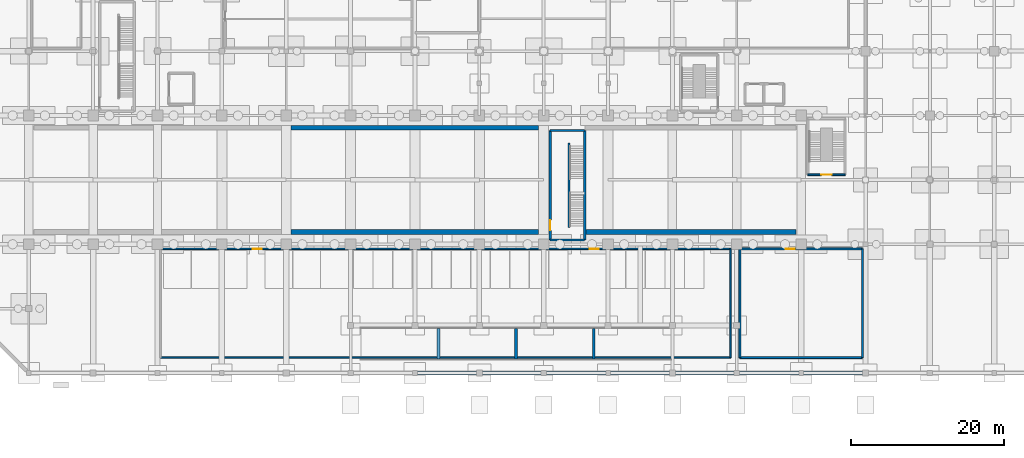
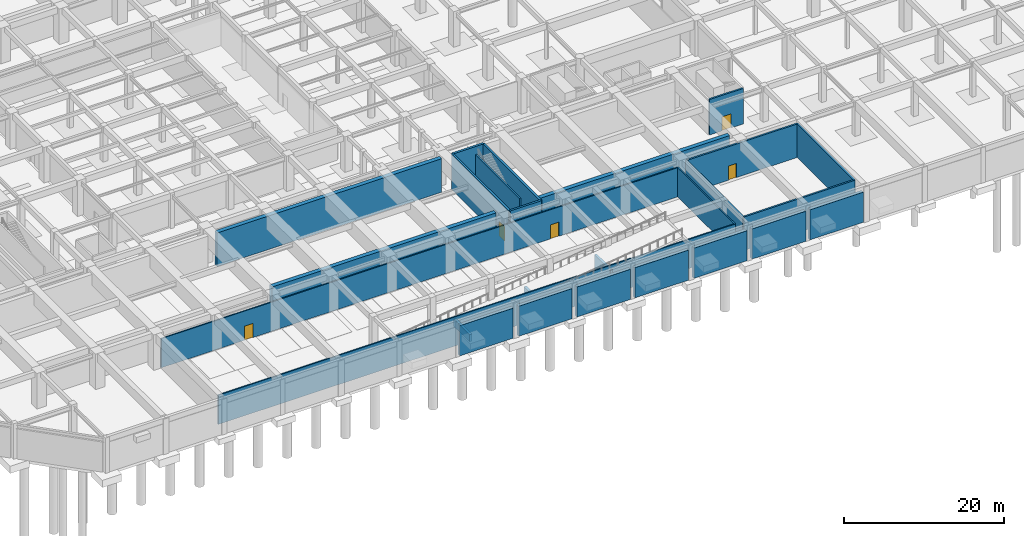
# One storey, part 19 of 26: 26 walls, 5 doors, 5 openings.
"""IFC4 building model written with IfcOpenShell, lengths in metres."""

from ifc_helpers import new_model, si_unit, direction, frame, frame_2d, origin, place, context, subcontext, project, spatial, rectangle, extrude, material, layer, layer_set, type_object, element, fill, save


model = new_model("IFC4")

# Units and contexts
model_context = context("Model", 3, precision=1e-05, world=origin(), true_north=direction((0.0, 1.0)))
body_context = subcontext(model_context, "Body", "Model", "MODEL_VIEW")
ifc_project = project(units=[si_unit("LENGTHUNIT", "METRE"), si_unit("AREAUNIT", "SQUARE_METRE"), si_unit("VOLUMEUNIT", "CUBIC_METRE"), si_unit("PLANEANGLEUNIT", "RADIAN"), si_unit("MASSUNIT", "GRAM", prefix="KILO")], contexts=[model_context])

# Site, building, storey
site_placement = place(None, origin())
site = spatial("IfcSite", under=ifc_project, at=site_placement, CompositionType="ELEMENT")
building_placement = place(site_placement, origin())
building = spatial("IfcBuilding", under=site, at=building_placement, Name="Xuanlan Plaza Opera House", CompositionType="ELEMENT")
storey_placement = place(building_placement, frame((0.0, 0.0, -5.39990234375)))
storey = spatial("IfcBuildingStorey", under=building, at=storey_placement, Name="B01", CompositionType="ELEMENT", Elevation=-5.39990234375)

# Walls
ifc_material_1 = material(Name="Concrete C50", Category="concrete")
ifc_layer_1 = layer(ifc_material_1, 0.47998046875)
ifc_layer_set_1 = layer_set([ifc_layer_1], Name="Concrete C50")
wall_type_1 = type_object("IfcWallType", Name="ENV-WL-EW-B01", PredefinedType="SHEAR", material=ifc_layer_set_1)
wall_1_placement = place(storey_placement, frame((67.5, 0.0, 0.0), z_axis=(0.0, 0.0, 1.0), x_axis=(1.0, 0.0, 0.0)))
element("IfcWall", 1, at=wall_1_placement, inside=storey, type_object=wall_type_1, Name="Exterior Wall B01-007", PredefinedType="SHEAR", context=body_context, shape_type="SweptSolid", body=[
    extrude(rectangle(XDim=7.699951171875, YDim=0.47998046875, at=frame_2d((3.85009765625, 0.0))), origin(), (0.0, 0.0, 1.0), 4.579833984375),
])
wall_2_placement = place(storey_placement, frame((76.0, 0.0, 0.0), z_axis=(0.0, 0.0, 1.0), x_axis=(1.0, 0.0, 0.0)))
element("IfcWall", 2, at=wall_2_placement, inside=storey, type_object=wall_type_1, Name="Exterior Wall B01-008", PredefinedType="SHEAR", context=body_context, shape_type="SweptSolid", body=[
    extrude(rectangle(XDim=7.64990234375, YDim=0.47998046875, at=frame_2d((3.824951171875, 0.0))), origin(), (0.0, 0.0, 1.0), 4.579833984375),
])
wall_3_placement = place(storey_placement, frame((84.35009765625, 0.0, 0.0), z_axis=(0.0, 0.0, 1.0), x_axis=(1.0, 0.0, 0.0)))
element("IfcWall", 3, at=wall_3_placement, inside=storey, type_object=wall_type_1, Name="Exterior Wall B01-009", PredefinedType="SHEAR", context=body_context, shape_type="SweptSolid", body=[
    extrude(rectangle(XDim=7.75, YDim=0.47998046875, at=frame_2d((3.875, 0.0))), origin(), (0.0, 0.0, 1.0), 4.579833984375),
])
wall_4_placement = place(storey_placement, frame((92.699951171875, 0.0, 0.0), z_axis=(0.0, 0.0, 1.0), x_axis=(1.0, 0.0, 0.0)))
element("IfcWall", 4, at=wall_4_placement, inside=storey, type_object=wall_type_1, Name="Exterior Wall B01-010", PredefinedType="SHEAR", context=body_context, shape_type="SweptSolid", body=[
    extrude(rectangle(XDim=7.699951171875, YDim=0.47998046875, at=frame_2d((3.85009765625, 0.0))), origin(), (0.0, 0.0, 1.0), 4.579833984375),
])
wall_5_placement = place(storey_placement, frame((101.199951171875, 0.0, 0.0), z_axis=(0.0, 0.0, 1.0), x_axis=(1.0, 0.0, 0.0)))
element("IfcWall", 5, at=wall_5_placement, inside=storey, type_object=wall_type_1, Name="Exterior Wall B01-011", PredefinedType="SHEAR", context=body_context, shape_type="SweptSolid", body=[
    extrude(rectangle(XDim=7.650146484375, YDim=0.47998046875, at=frame_2d((3.8251953125, 0.0))), origin(), (0.0, 0.0, 1.0), 4.579833984375),
])
wall_6_placement = place(storey_placement, frame((109.550048828125, 0.0, 0.0), z_axis=(0.0, 0.0, 1.0), x_axis=(1.0, 0.0, 0.0)))
element("IfcWall", 6, at=wall_6_placement, inside=storey, type_object=wall_type_1, Name="Exterior Wall B01-012", PredefinedType="SHEAR", context=body_context, shape_type="SweptSolid", body=[
    extrude(rectangle(XDim=7.75, YDim=0.47998046875, at=frame_2d((3.875, 0.0))), origin(), (0.0, 0.0, 1.0), 4.579833984375),
])
wall_7_placement = place(storey_placement, frame((117.89990234375, 0.0, 0.0), z_axis=(0.0, 0.0, 1.0), x_axis=(1.0, 0.0, 0.0)))
element("IfcWall", 7, at=wall_7_placement, inside=storey, type_object=wall_type_1, Name="Exterior Wall B01-013", PredefinedType="SHEAR", context=body_context, shape_type="SweptSolid", body=[
    extrude(rectangle(XDim=7.7001953125, YDim=0.47998046875, at=frame_2d((3.85009765625, 0.0))), origin(), (0.0, 0.0, 1.0), 4.579833984375),
])
ifc_material_2 = material(Name="Gypsum Board and Galvanised Steel Studs", Category="gypsum")
ifc_layer_2 = layer(ifc_material_2, 0.179931640625)
ifc_layer_set_2 = layer_set([ifc_layer_2], Name="Gypsum Board and Galvanised Steel Studs")
wall_type_2 = type_object("IfcWallType", Name="INT-WL-PW-02", PredefinedType="PARTITIONING", material=ifc_layer_set_2)
wall_8_placement = place(storey_placement, frame((34.0, 2.0, 0.0), z_axis=(0.0, 0.0, 1.0), x_axis=(1.0, 0.0, 0.0)))
element("IfcWall", 8, at=wall_8_placement, inside=storey, type_object=wall_type_2, Name="Basement Motor Vehicle Parking Deck Wall South", PredefinedType="PARTITIONING", context=body_context, shape_type="SweptSolid", body=[
    extrude(rectangle(XDim=74.39990234375, YDim=0.179931640625, at=frame_2d((37.199951171875, 0.0))), origin(), (0.0, 0.0, 1.0), 4.43994140625),
])

# Wall, openings, doors
wall_9_placement = place(storey_placement, frame((34.0, 16.199951171875, 0.0), z_axis=(0.0, 0.0, 1.0), x_axis=(1.0, 0.0, 0.0)))
wall_9 = element("IfcWall", 9, at=wall_9_placement, inside=storey, type_object=wall_type_2, Name="Basement Motor Vehicle Parking Deck Wall North", PredefinedType="PARTITIONING", context=body_context, shape_type="SweptSolid", body=[
    extrude(rectangle(XDim=74.39990234375, YDim=0.179931640625, at=frame_2d((37.199951171875, 0.0))), origin(), (0.0, 0.0, 1.0), 4.43994140625),
])
opening_1_placement = place(wall_9_placement, frame((12.0, 0.0, 0.0)))
opening_1 = element("IfcOpeningElement", 10, at=opening_1_placement, cuts=wall_9, Name="Opening FD-02", PredefinedType="OPENING", context=body_context, shape_type="SweptSolid", body=[
    extrude(rectangle(XDim=1.199951171875, YDim=2.14990234375, at=frame_2d((0.60009765625, 1.074951171875))), frame((0.0, 0.099853515625, 0.0), z_axis=(0.0, -1.0, 0.0), x_axis=(1.0, 0.0, 0.0)), (0.0, 0.0, 1.0), 0.199951171875),
])
opening_2_placement = place(wall_9_placement, frame((56.0, 0.0, 0.0)))
opening_2 = element("IfcOpeningElement", 11, at=opening_2_placement, cuts=wall_9, Name="Opening FD-02", PredefinedType="OPENING", context=body_context, shape_type="SweptSolid", body=[
    extrude(rectangle(XDim=1.199951171875, YDim=2.14990234375, at=frame_2d((0.60009765625, 1.074951171875))), frame((0.0, 0.099853515625, 0.0), z_axis=(0.0, -1.0, 0.0), x_axis=(1.0, 0.0, 0.0)), (0.0, 0.0, 1.0), 0.199951171875),
])
ifc_material_3 = material(Name="Galvanised Steel Q235B", Category="steel")
door_type_1 = type_object("IfcDoorType", Name="INT-DR-FD-02", OperationType="NOTDEFINED", PredefinedType="DOOR", material=ifc_material_3)
door_1_placement = place(opening_1_placement, origin())
door_1 = element("IfcDoor", 12, at=door_1_placement, inside=storey, type_object=door_type_1, Name="Basement Motor Vehicle Parking Deck Door 1", OperationType="SINGLE_SWING_RIGHT", OverallHeight=2.14990234375, OverallWidth=1.199951171875, PredefinedType="DOOR", context=body_context, shape_type="SweptSolid", body=[
    extrude(rectangle(XDim=1.199951171875, YDim=2.14990234375, at=frame_2d((0.60009765625, 1.074951171875))), frame((0.0, 0.02490234375, 0.0), z_axis=(0.0, -1.0, 0.0), x_axis=(1.0, 0.0, 0.0)), (0.0, 0.0, 1.0), 0.050048828125),
])
fill(opening_1, door_1)
door_2_placement = place(opening_2_placement, origin())
door_2 = element("IfcDoor", 13, at=door_2_placement, inside=storey, type_object=door_type_1, Name="Basement Motor Vehicle Parking Deck Door 2", OperationType="SINGLE_SWING_LEFT", OverallHeight=2.14990234375, OverallWidth=1.199951171875, PredefinedType="DOOR", context=body_context, shape_type="SweptSolid", body=[
    extrude(rectangle(XDim=1.199951171875, YDim=2.14990234375, at=frame_2d((0.60009765625, 1.074951171875))), frame((0.0, 0.02490234375, 0.0), z_axis=(0.0, -1.0, 0.0), x_axis=(1.0, 0.0, 0.0)), (0.0, 0.0, 1.0), 0.050048828125),
])
fill(opening_2, door_2)

# Walls
wall_10_placement = place(storey_placement, frame((108.39990234375, 2.0, 0.0), z_axis=(0.0, 0.0, 1.0), x_axis=(0.0, 1.0, 0.0)))
element("IfcWall", 14, at=wall_10_placement, inside=storey, type_object=wall_type_2, Name="Basement Motor Vehicle Parking Deck Wall East", PredefinedType="PARTITIONING", context=body_context, shape_type="SweptSolid", body=[
    extrude(rectangle(XDim=14.199951171875, YDim=0.179931640625, at=frame_2d((7.10009765625, 0.0))), origin(), (0.0, 0.0, 1.0), 4.43994140625),
])
ifc_material_4 = material(Name="Concrete C40", Category="concrete")
ifc_layer_3 = layer(ifc_material_4, 0.25)
ifc_layer_set_3 = layer_set([ifc_layer_3], Name="Concrete C40")
wall_type_3 = type_object("IfcWallType", Name="INT-WL-SW-LF1", PredefinedType="SHEAR", material=ifc_layer_set_3)
wall_11_placement = place(storey_placement, frame((109.60009765625, 2.0, 0.0), z_axis=(0.0, 0.0, 1.0), x_axis=(1.0, 0.0, 0.0)))
element("IfcWall", 15, at=wall_11_placement, inside=storey, type_object=wall_type_3, Name="Main Electrical Substation and Switch Room Wall South", PredefinedType="SHEAR", context=body_context, shape_type="SweptSolid", body=[
    extrude(rectangle(XDim=16.0, YDim=0.25, at=frame_2d((8.0, 0.0))), origin(), (0.0, 0.0, 1.0), 5.099853515625),
])

# Wall, opening, door
wall_12_placement = place(storey_placement, frame((109.60009765625, 16.199951171875, 0.0), z_axis=(0.0, 0.0, 1.0), x_axis=(1.0, 0.0, 0.0)))
wall_12 = element("IfcWall", 16, at=wall_12_placement, inside=storey, type_object=wall_type_3, Name="Main Electrical Substation and Switch Room Wall North", PredefinedType="SHEAR", context=body_context, shape_type="SweptSolid", body=[
    extrude(rectangle(XDim=16.0, YDim=0.25, at=frame_2d((8.0, 0.0))), origin(), (0.0, 0.0, 1.0), 5.099853515625),
])
opening_3_placement = place(wall_12_placement, frame((6.0, 0.0, 0.0)))
opening_3 = element("IfcOpeningElement", 17, at=opening_3_placement, cuts=wall_12, Name="Opening FD-01", PredefinedType="OPENING", context=body_context, shape_type="SweptSolid", body=[
    extrude(rectangle(XDim=1.14990234375, YDim=2.14990234375, at=frame_2d((0.574951171875, 1.074951171875))), frame((0.0, 0.135009765625, 0.0), z_axis=(0.0, -1.0, 0.0), x_axis=(1.0, 0.0, 0.0)), (0.0, 0.0, 1.0), 0.27001953125),
])
door_type_2 = type_object("IfcDoorType", Name="INT-DR-FD-01", OperationType="NOTDEFINED", PredefinedType="DOOR", material=ifc_material_3)
door_3_placement = place(opening_3_placement, origin())
door_3 = element("IfcDoor", 18, at=door_3_placement, inside=storey, type_object=door_type_2, Name="Main Electrical Substation and Switch Room Door 1", OperationType="SINGLE_SWING_RIGHT", OverallHeight=2.14990234375, OverallWidth=1.14990234375, PredefinedType="DOOR", context=body_context, shape_type="SweptSolid", body=[
    extrude(rectangle(XDim=1.14990234375, YDim=2.14990234375, at=frame_2d((0.574951171875, 1.074951171875))), frame((0.0, 0.02490234375, 0.0), z_axis=(0.0, -1.0, 0.0), x_axis=(1.0, 0.0, 0.0)), (0.0, 0.0, 1.0), 0.050048828125),
])
fill(opening_3, door_3)

# Walls
for number, where, z_axis, x_axis, name in (
    (19, (109.60009765625, 2.0, 0.0), (0.0, 0.0, 1.0), (0.0, 1.0, 0.0), "Main Electrical Substation and Switch Room Wall West"),
    (20, (125.60009765625, 2.0, 0.0), (0.0, 0.0, 1.0), (0.0, 1.0, 0.0), "Main Electrical Substation and Switch Room Wall East"),
):
    element("IfcWall", number, at=place(storey_placement, frame(where, z_axis=z_axis, x_axis=x_axis)), inside=storey, type_object=wall_type_3, Name=name, PredefinedType="SHEAR", context=body_context, shape_type="SweptSolid", body=[
        extrude(rectangle(XDim=14.199951171875, YDim=0.25, at=frame_2d((7.10009765625, 0.0))), origin(), (0.0, 0.0, 1.0), 5.099853515625),
    ])
ifc_layer_4 = layer(ifc_material_4, 0.199951171875)
ifc_layer_set_4 = layer_set([ifc_layer_4], Name="Concrete C40")
wall_type_4 = type_object("IfcWallType", Name="INT-WL-SW-SPN", PredefinedType="SHEAR", material=ifc_layer_set_4)
wall_13_placement = place(storey_placement, frame((87.300048828125, 19.0, 0.0), z_axis=(0.0, 0.0, 1.0), x_axis=(0.0, 1.0, 0.0)))
element("IfcWall", 21, at=wall_13_placement, inside=storey, type_object=wall_type_4, Name="Stair Structural Spine Wall ST-P3 B01", PredefinedType="SHEAR", context=body_context, shape_type="SweptSolid", body=[
    extrude(rectangle(XDim=11.0, YDim=0.199951171875, at=frame_2d((5.5, 0.0))), origin(), (0.0, 0.0, 1.0), 5.39990234375),
])
ifc_layer_5 = layer(ifc_material_4, 0.300048828125)
ifc_layer_set_5 = layer_set([ifc_layer_5], Name="Concrete C40")
wall_type_5 = type_object("IfcWallType", Name="INT-WL-SW-ST1", PredefinedType="SHEAR", material=ifc_layer_set_5)
for number, where, z_axis, x_axis, name in (
    (22, (84.85009765625, 17.35009765625, 0.0), (0.0, 0.0, 1.0), (1.0, 0.0, 0.0), "Stair Core Wall ST-P3 B01 South"),
    (23, (84.85009765625, 31.64990234375, 0.0), (0.0, 0.0, 1.0), (1.0, 0.0, 0.0), "Stair Core Wall ST-P3 B01 North"),
):
    element("IfcWall", number, at=place(storey_placement, frame(where, z_axis=z_axis, x_axis=x_axis)), inside=storey, type_object=wall_type_5, Name=name, PredefinedType="SHEAR", context=body_context, shape_type="SweptSolid", body=[
        extrude(rectangle(XDim=4.5, YDim=0.300048828125, at=frame_2d((2.25, 0.0))), origin(), (0.0, 0.0, 1.0), 5.39990234375),
    ])

# Wall, opening, door
wall_14_placement = place(storey_placement, frame((84.85009765625, 17.35009765625, 0.0), z_axis=(0.0, 0.0, 1.0), x_axis=(0.0, 1.0, 0.0)))
wall_14 = element("IfcWall", 24, at=wall_14_placement, inside=storey, type_object=wall_type_5, Name="Stair Core Wall ST-P3 B01 West", PredefinedType="SHEAR", context=body_context, shape_type="SweptSolid", body=[
    extrude(rectangle(XDim=14.2998046875, YDim=0.300048828125, at=frame_2d((7.14990234375, 0.0))), origin(), (0.0, 0.0, 1.0), 5.39990234375),
])
opening_4_placement = place(wall_14_placement, frame((1.25, 0.0, 0.0)))
opening_4 = element("IfcOpeningElement", 25, at=opening_4_placement, cuts=wall_14, Name="Opening FD-ST2", PredefinedType="OPENING", context=body_context, shape_type="SweptSolid", body=[
    extrude(rectangle(XDim=1.35009765625, YDim=2.14990234375, at=frame_2d((0.675048828125, 1.074951171875))), frame((0.0, 0.159912109375, 0.0), z_axis=(0.0, -1.0, 0.0), x_axis=(1.0, 0.0, 0.0)), (0.0, 0.0, 1.0), 0.320068359375),
])
door_type_3 = type_object("IfcDoorType", Name="INT-DR-FD-ST2", OperationType="NOTDEFINED", PredefinedType="DOOR", material=ifc_material_3)
door_4_placement = place(opening_4_placement, frame((1.35009765625, 0.0, 0.0), z_axis=(0.0, 0.0, 1.0), x_axis=(-1.0, 0.0, 0.0)))
door_4 = element("IfcDoor", 26, at=door_4_placement, inside=storey, type_object=door_type_3, Name="Stair Enclosure Fire Door ST-P3 B01", OperationType="SINGLE_SWING_LEFT", OverallHeight=2.14990234375, OverallWidth=1.35009765625, PredefinedType="DOOR", context=body_context, shape_type="SweptSolid", body=[
    extrude(rectangle(XDim=1.35009765625, YDim=2.14990234375, at=frame_2d((0.675048828125, 1.074951171875))), frame((0.0, 0.02490234375, 0.0), z_axis=(0.0, -1.0, 0.0), x_axis=(1.0, 0.0, 0.0)), (0.0, 0.0, 1.0), 0.050048828125),
])
fill(opening_4, door_4)

# Wall
wall_15_placement = place(storey_placement, frame((89.35009765625, 17.35009765625, 0.0), z_axis=(0.0, 0.0, 1.0), x_axis=(0.0, 1.0, 0.0)))
element("IfcWall", 27, at=wall_15_placement, inside=storey, type_object=wall_type_5, Name="Stair Core Wall ST-P3 B01 East", PredefinedType="SHEAR", context=body_context, shape_type="SweptSolid", body=[
    extrude(rectangle(XDim=14.2998046875, YDim=0.300048828125, at=frame_2d((7.14990234375, 0.0))), origin(), (0.0, 0.0, 1.0), 5.39990234375),
])

# Wall, opening, door
ifc_layer_6 = layer(ifc_material_4, 0.25)
ifc_layer_set_6 = layer_set([ifc_layer_6], Name="Concrete C40")
wall_type_6 = type_object("IfcWallType", Name="INT-WL-SW-ST2", PredefinedType="SHEAR", material=ifc_layer_set_6)
wall_16_placement = place(storey_placement, frame((118.47509765625, 25.875, 0.0), z_axis=(0.0, 0.0, 1.0), x_axis=(1.0, 0.0, 0.0)))
wall_16 = element("IfcWall", 28, at=wall_16_placement, inside=storey, type_object=wall_type_6, Name="Stair Core Wall ST-F3 B01 South", PredefinedType="SHEAR", context=body_context, shape_type="SweptSolid", body=[
    extrude(rectangle(XDim=4.849853515625, YDim=0.25, at=frame_2d((2.4248046875, 0.0))), origin(), (0.0, 0.0, 1.0), 5.39990234375),
])
opening_5_placement = place(wall_16_placement, frame((1.75, 0.0, 0.0)))
opening_5 = element("IfcOpeningElement", 29, at=opening_5_placement, cuts=wall_16, Name="Opening FD-ST2", PredefinedType="OPENING", context=body_context, shape_type="SweptSolid", body=[
    extrude(rectangle(XDim=1.35009765625, YDim=2.14990234375, at=frame_2d((0.675048828125, 1.074951171875))), frame((0.0, 0.135009765625, 0.0), z_axis=(0.0, -1.0, 0.0), x_axis=(1.0, 0.0, 0.0)), (0.0, 0.0, 1.0), 0.27001953125),
])
door_5_placement = place(opening_5_placement, origin())
door_5 = element("IfcDoor", 30, at=door_5_placement, inside=storey, type_object=door_type_3, Name="Stair Enclosure Fire Door ST-F3 B01", OperationType="SINGLE_SWING_RIGHT", OverallHeight=2.14990234375, OverallWidth=1.35009765625, PredefinedType="DOOR", context=body_context, shape_type="SweptSolid", body=[
    extrude(rectangle(XDim=1.35009765625, YDim=2.14990234375, at=frame_2d((0.675048828125, 1.074951171875))), frame((0.0, 0.02490234375, 0.0), z_axis=(0.0, -1.0, 0.0), x_axis=(1.0, 0.0, 0.0)), (0.0, 0.0, 1.0), 0.050048828125),
])
fill(opening_5, door_5)

# Walls
ifc_layer_7 = layer(ifc_material_1, 0.60009765625)
ifc_layer_set_7 = layer_set([ifc_layer_7], Name="Concrete C50")
wall_type_7 = type_object("IfcWallType", Name="STR-WL-SW-M1", PredefinedType="SHEAR", material=ifc_layer_set_7)
wall_17_placement = place(storey_placement, frame((51.050048828125, 18.39990234375, 0.0), z_axis=(0.0, 0.0, 1.0), x_axis=(1.0, 0.0, 0.0)))
element("IfcWall", 31, at=wall_17_placement, inside=storey, type_object=wall_type_7, Name="Metro Tunnel Protection Wall M1-02", PredefinedType="SHEAR", context=body_context, shape_type="SweptSolid", body=[
    extrude(rectangle(XDim=32.300048828125, YDim=0.60009765625, at=frame_2d((16.14990234375, 0.0))), origin(), (0.0, 0.0, 1.0), 5.099853515625),
])
wall_18_placement = place(storey_placement, frame((89.419921875, 18.39990234375, 0.0), z_axis=(0.0, 0.0, 1.0), x_axis=(1.0, 0.0, 0.0)))
element("IfcWall", 32, at=wall_18_placement, inside=storey, type_object=wall_type_7, Name="Metro Tunnel Protection Wall M1-03", PredefinedType="SHEAR", context=body_context, shape_type="SweptSolid", body=[
    extrude(rectangle(XDim=27.530029296875, YDim=0.60009765625, at=frame_2d((13.76513671875, 0.0))), origin(), (0.0, 0.0, 1.0), 5.099853515625),
])
wall_19_placement = place(storey_placement, frame((51.050048828125, 32.0, 0.0), z_axis=(0.0, 0.0, 1.0), x_axis=(1.0, 0.0, 0.0)))
element("IfcWall", 33, at=wall_19_placement, inside=storey, type_object=wall_type_7, Name="Metro Tunnel Protection Wall M2-02", PredefinedType="SHEAR", context=body_context, shape_type="SweptSolid", body=[
    extrude(rectangle(XDim=32.300048828125, YDim=0.60009765625, at=frame_2d((16.14990234375, 0.0))), origin(), (0.0, 0.0, 1.0), 5.099853515625),
])
ifc_layer_8 = layer(ifc_material_4, 0.340087890625)
ifc_layer_set_8 = layer_set([ifc_layer_8], Name="Concrete C40")
wall_type_8 = type_object("IfcWallType", Name="STR-WL-SW-RM1", PredefinedType="SHEAR", material=ifc_layer_set_8)
wall_20_placement = place(storey_placement, frame((90.52490234375, 1.800048828125, 0.0), z_axis=(0.0, 0.0, 1.0), x_axis=(0.0, 1.0, 0.0)))
element("IfcWall", 34, at=wall_20_placement, inside=storey, type_object=wall_type_8, Name="Vehicle Ramp Sleeper Support Wall 1", PredefinedType="SHEAR", context=body_context, shape_type="SweptSolid", body=[
    extrude(rectangle(XDim=4.0, YDim=0.340087890625, at=frame_2d((2.0, 0.0))), origin(), (0.0, 0.0, 1.0), 3.77978515625),
])
ifc_layer_9 = layer(ifc_material_4, 0.360107421875)
ifc_layer_set_9 = layer_set([ifc_layer_9], Name="Concrete C40")
wall_type_9 = type_object("IfcWallType", Name="STR-WL-SW-RM2", PredefinedType="SHEAR", material=ifc_layer_set_9)
wall_21_placement = place(storey_placement, frame((80.39990234375, 1.800048828125, 0.0), z_axis=(0.0, 0.0, 1.0), x_axis=(0.0, 1.0, 0.0)))
element("IfcWall", 35, at=wall_21_placement, inside=storey, type_object=wall_type_9, Name="Vehicle Ramp Sleeper Support Wall 2", PredefinedType="SHEAR", context=body_context, shape_type="SweptSolid", body=[
    extrude(rectangle(XDim=4.0, YDim=0.360107421875, at=frame_2d((2.0, 0.0))), origin(), (0.0, 0.0, 1.0), 2.429931640625),
])
ifc_layer_10 = layer(ifc_material_4, 0.3798828125)
ifc_layer_set_10 = layer_set([ifc_layer_10], Name="Concrete C40")
wall_type_10 = type_object("IfcWallType", Name="STR-WL-SW-RM3", PredefinedType="SHEAR", material=ifc_layer_set_10)
wall_22_placement = place(storey_placement, frame((70.27490234375, 1.800048828125, 0.0), z_axis=(0.0, 0.0, 1.0), x_axis=(0.0, 1.0, 0.0)))
element("IfcWall", 36, at=wall_22_placement, inside=storey, type_object=wall_type_10, Name="Vehicle Ramp Sleeper Support Wall 3", PredefinedType="SHEAR", context=body_context, shape_type="SweptSolid", body=[
    extrude(rectangle(XDim=4.0, YDim=0.3798828125, at=frame_2d((2.0, 0.0))), origin(), (0.0, 0.0, 1.0), 1.079833984375),
])

save(model, "model.ifc")
